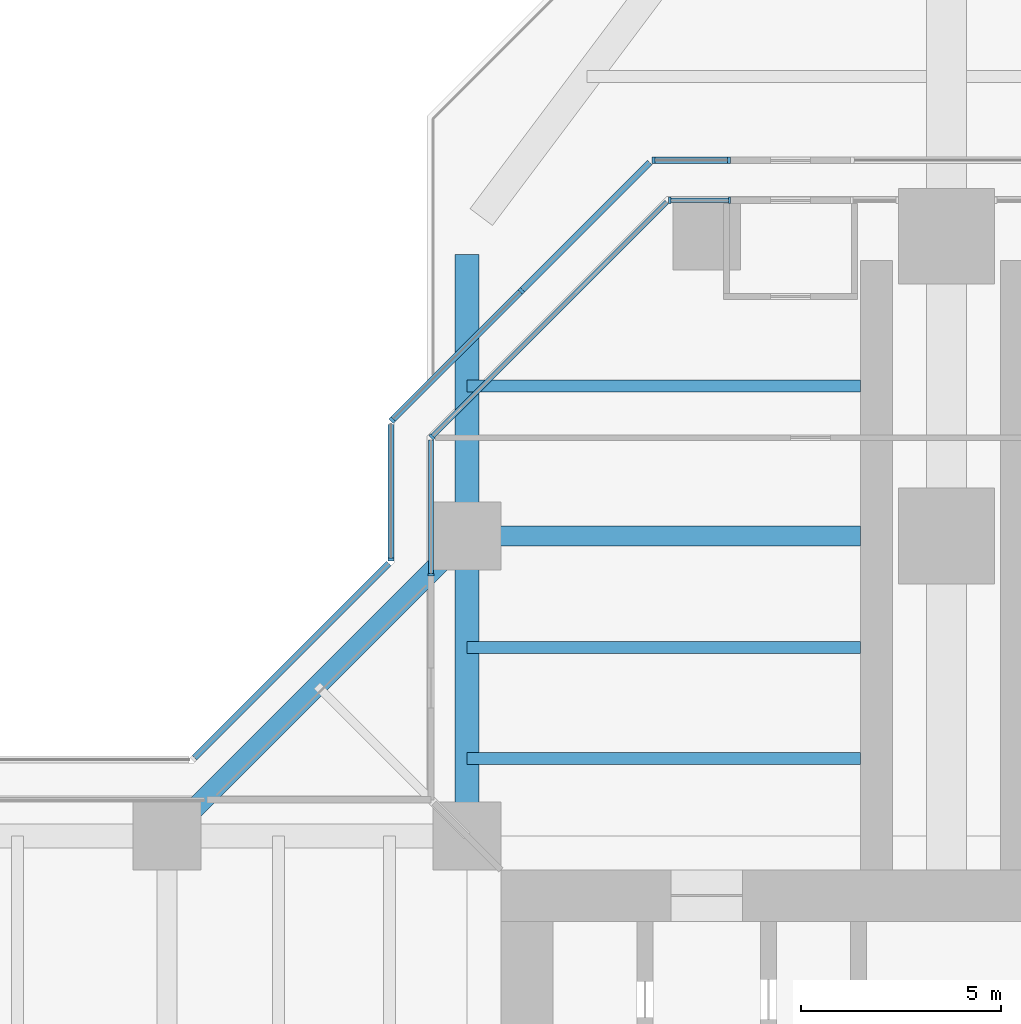
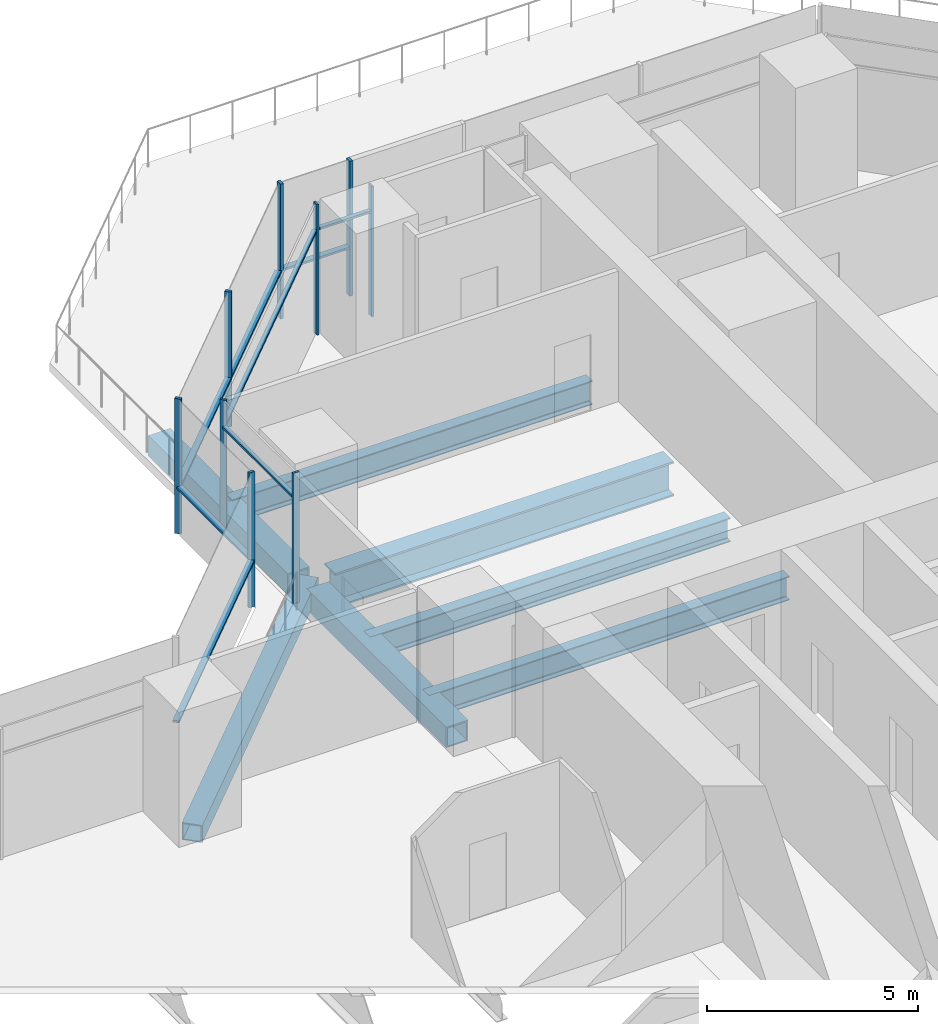
# One storey, part 8 of 21: 17 members, 7 beams, 7 elements without a shape of their own.
"""IFC4 building model written with IfcOpenShell, lengths in metres."""

from ifc_helpers import new_model, si_unit, direction, frame, origin, origin_2d, place, context, subcontext, project, spatial, rectangle, hollow_rectangle, i_section, extrude, material, material_profile, profile_set, type_object, element, aggregate, save


model = new_model("IFC4")

# Units and contexts
model_context = context("Model", 3, precision=1e-05, world=origin(), true_north=direction((0.0, 1.0)))
body_context = subcontext(model_context, "Body", "Model", "MODEL_VIEW")
ifc_project = project(units=[si_unit("LENGTHUNIT", "METRE"), si_unit("AREAUNIT", "SQUARE_METRE"), si_unit("VOLUMEUNIT", "CUBIC_METRE"), si_unit("PLANEANGLEUNIT", "RADIAN"), si_unit("MASSUNIT", "GRAM", prefix="KILO")], contexts=[model_context])

# Site, building, storey
site_placement = place(None, origin())
site = spatial("IfcSite", under=ifc_project, at=site_placement, CompositionType="ELEMENT")
building_placement = place(site_placement, origin())
building = spatial("IfcBuilding", under=site, at=building_placement, Name="Mizan Broadcast Tower", CompositionType="ELEMENT")
storey_placement = place(building_placement, frame((0.0, 0.0, 124.199951171875)))
storey = spatial("IfcBuildingStorey", under=building, at=storey_placement, Name="L27", CompositionType="ELEMENT", Elevation=124.199951171875)

# Beams
ifc_material_1 = material(Name="Steel S355", Category="steel")
ifc_material_profile_1 = material_profile(ifc_material_1, hollow_rectangle(XDim=0.5, YDim=0.5, WallThickness=0.030029296875, at=origin_2d()), Name="BOX 500x500x30")
ifc_profile_set_1 = profile_set([ifc_material_profile_1], Name="Steel S355")
beam_type_1 = type_object("IfcBeamType", Name="EDGE BEAM BOX 500x500x30", PredefinedType="SPANDREL", material=ifc_profile_set_1)
beam_1_placement = place(storey_placement, frame((-12.0, 19.5, -0.3798828125), z_axis=(-0.707106781187, -0.707106781187, 0.0), x_axis=(0.707106781187, -0.707106781187, 0.0)))
element("IfcBeam", 1, at=beam_1_placement, inside=storey, type_object=beam_type_1, Name="Winter garden edge beam L27 N", PredefinedType="SPANDREL", context=body_context, shape_type="SweptSolid", body=[
    extrude(hollow_rectangle(XDim=0.5, YDim=0.5, WallThickness=0.030029296875, at=origin_2d()), origin(), (0.0, 0.0, 1.0), 10.606689453125),
])
ifc_material_2 = material(Name="Steel S355", Category="steel")
ifc_material_profile_2 = material_profile(ifc_material_2, hollow_rectangle(XDim=0.60009765625, YDim=0.60009765625, WallThickness=0.0400390625, at=origin_2d()), Name="BOX 600x600x40")
ifc_profile_set_2 = profile_set([ifc_material_profile_2], Name="Steel S355")
beam_type_2 = type_object("IfcBeamType", Name="EDGE BEAM BOX 600x600x40", PredefinedType="SPANDREL", material=ifc_profile_set_2)
for number, where, z_axis, x_axis, name in (
    (2, (-12.0, 12.449951171875, -0.429931640625), (0.0, 1.0, 0.0), (-1.0, 0.0, 0.0), "Edge beam BOX 600x600x40 L27 north arm"),
    (3, (-12.0, 19.949951171875, -0.550048828125), (0.0, 1.0, 0.0), (-1.0, 0.0, 0.0), "Edge beam BOX 600x600x40 L27 north arm"),
):
    element("IfcBeam", number, at=place(storey_placement, frame(where, z_axis=z_axis, x_axis=x_axis)), inside=storey, type_object=beam_type_2, Name=name, PredefinedType="SPANDREL", context=body_context, shape_type="SweptSolid", body=[
        extrude(hollow_rectangle(XDim=0.60009765625, YDim=0.60009765625, WallThickness=0.0400390625, at=origin_2d()), origin(), (0.0, 0.0, 1.0), 6.60009765625),
    ])
ifc_material_3 = material(Name="Steel S460", Category="steel")
ifc_material_profile_3 = material_profile(ifc_material_3, i_section(OverallWidth=0.5, OverallDepth=1.0, WebThickness=0.02490234375, FlangeThickness=0.050048828125, at=origin_2d()), Name="WPG 1000x500")
ifc_profile_set_3 = profile_set([ifc_material_profile_3], Name="Steel S460")
beam_type_3 = type_object("IfcBeamType", Name="GIRDER WPG 1000x500", PredefinedType="BEAM", material=ifc_profile_set_3)
beam_2_placement = place(storey_placement, frame((-11.408935546875, 19.5, -0.6298828125), z_axis=(1.0, 0.0, 0.0), x_axis=(0.0, 1.0, 0.0)))
element("IfcBeam", 4, at=beam_2_placement, inside=storey, type_object=beam_type_3, Name="Girder WPG 1000x500 L27 north arm", PredefinedType="BEAM", context=body_context, shape_type="SweptSolid", body=[
    extrude(i_section(OverallWidth=0.5, OverallDepth=1.0, WebThickness=0.02490234375, FlangeThickness=0.050048828125, at=origin_2d()), origin(), (0.0, 0.0, 1.0), 9.259033203125),
])

# Curtain wall, members
ifc_material_4 = material(Name="Aluminium framed glazing", Category="aluminium")
curtain_wall_type_1 = type_object("IfcCurtainWallType", Name="INNER SKIN MID ZONE", PredefinedType="USERDEFINED", material=ifc_material_4)
curtain_wall_1_placement = place(storey_placement, origin())
curtain_wall_1 = element("IfcCurtainWall", 5, at=curtain_wall_1_placement, inside=storey, type_object=curtain_wall_type_1, Name="Inner skin mid zone L27 N end", ObjectType="INNER SKIN MID ZONE", PredefinedType="USERDEFINED")
ifc_material_5 = material(Name="Aluminium, pale anodised", Category="aluminium")
ifc_material_profile_4 = material_profile(ifc_material_5, rectangle(XDim=0.159912109375, YDim=0.06005859375, at=origin_2d()), Name="MULLION 160x60")
ifc_profile_set_4 = profile_set([ifc_material_profile_4], Name="Aluminium, pale anodised")
member_type_1 = type_object("IfcMemberType", Name="INNER SKIN MULLION 60x160", PredefinedType="MULLION", material=ifc_profile_set_4)
member_1_placement = place(storey_placement, frame((-5.429931640625, 27.89990234375, 0.0), z_axis=(0.0, 0.0, 1.0), x_axis=(0.0, -1.0, 0.0)))
member_1 = element("IfcMember", 6, at=member_1_placement, type_object=member_type_1, Name="Inner skin mid zone L27 N end mullion 1", PredefinedType="MULLION", context=body_context, shape_type="SweptSolid", body=[
    extrude(rectangle(XDim=0.159912109375, YDim=0.06005859375, at=origin_2d()), origin(), (0.0, 0.0, 1.0), 3.77001953125),
])
member_2_placement = place(storey_placement, frame((-6.928466796875, 27.89990234375, 0.0), z_axis=(0.0, 0.0, 1.0), x_axis=(0.0, -1.0, 0.0)))
member_2 = element("IfcMember", 7, at=member_2_placement, type_object=member_type_1, Name="Inner skin mid zone L27 N end mullion 2", PredefinedType="MULLION", context=body_context, shape_type="SweptSolid", body=[
    extrude(rectangle(XDim=0.159912109375, YDim=0.06005859375, at=origin_2d()), origin(), (0.0, 0.0, 1.0), 3.77001953125),
])

# Curtain wall, member
curtain_wall_2_placement = place(storey_placement, origin())
curtain_wall_2 = element("IfcCurtainWall", 8, at=curtain_wall_2_placement, inside=storey, type_object=curtain_wall_type_1, Name="Inner skin mid zone L27 N chamfer", ObjectType="INNER SKIN MID ZONE", PredefinedType="USERDEFINED")
member_3_placement = place(storey_placement, frame((-12.87890625, 21.979736328125, 0.0), z_axis=(0.0, 0.0, 1.0), x_axis=(0.707106781187, -0.707106781187, 0.0)))
member_3 = element("IfcMember", 9, at=member_3_placement, type_object=member_type_1, Name="Inner skin mid zone L27 N chamfer mullion 2", PredefinedType="MULLION", context=body_context, shape_type="SweptSolid", body=[
    extrude(rectangle(XDim=0.159912109375, YDim=0.06005859375, at=origin_2d()), origin(), (0.0, 0.0, 1.0), 3.77001953125),
])

curtain_wall_3_placement = place(storey_placement, origin())
curtain_wall_3 = element("IfcCurtainWall", 10, at=curtain_wall_3_placement, inside=storey, type_object=curtain_wall_type_1, Name="Inner skin mid zone L27 N side", ObjectType="INNER SKIN MID ZONE", PredefinedType="USERDEFINED")
member_4_placement = place(storey_placement, frame((-12.89990234375, 18.530029296875, 0.0), z_axis=(0.0, 0.0, 1.0), x_axis=(1.0, 0.0, 0.0)))
member_4 = element("IfcMember", 11, at=member_4_placement, type_object=member_type_1, Name="Inner skin mid zone L27 N side mullion 2", PredefinedType="MULLION", context=body_context, shape_type="SweptSolid", body=[
    extrude(rectangle(XDim=0.159912109375, YDim=0.06005859375, at=origin_2d()), origin(), (0.0, 0.0, 1.0), 3.77001953125),
])

# Member
ifc_material_6 = material(Name="Aluminium, pale anodised", Category="aluminium")
ifc_material_profile_5 = material_profile(ifc_material_6, rectangle(XDim=0.1201171875, YDim=0.06005859375, at=origin_2d()), Name="TRANSOM 120x60")
ifc_profile_set_5 = profile_set([ifc_material_profile_5], Name="Aluminium, pale anodised")
member_type_2 = type_object("IfcMemberType", Name="INNER SKIN TRANSOM 60x120", PredefinedType="USERDEFINED", material=ifc_profile_set_5)
member_5_placement = place(storey_placement, frame((-5.4599609375, 27.89990234375, 3.030029296875), z_axis=(-1.0, 0.0, 0.0), x_axis=(0.0, -1.0, 0.0)))
member_5 = element("IfcMember", 12, at=member_5_placement, type_object=member_type_2, Name="Inner skin mid zone L27 N end transom 1.1", ObjectType="TRANSOM", PredefinedType="USERDEFINED", context=body_context, shape_type="SweptSolid", body=[
    extrude(rectangle(XDim=0.1201171875, YDim=0.06005859375, at=origin_2d()), origin(), (0.0, 0.0, 1.0), 1.438720703125),
])

aggregate(curtain_wall_1, [member_1, member_2, member_5])

member_6_placement = place(storey_placement, frame((-7.0009765625, 27.857666015625, 3.030029296875), z_axis=(-0.707106781187, -0.707106781187, 0.0), x_axis=(0.707106781187, -0.707106781187, 0.0)))
member_6 = element("IfcMember", 13, at=member_6_placement, type_object=member_type_2, Name="Inner skin mid zone L27 N chamfer transom 1.1", ObjectType="TRANSOM", PredefinedType="USERDEFINED", context=body_context, shape_type="SweptSolid", body=[
    extrude(rectangle(XDim=0.1201171875, YDim=0.06005859375, at=origin_2d()), origin(), (0.0, 0.0, 1.0), 8.28271484375),
])

aggregate(curtain_wall_2, [member_3, member_6])

member_7_placement = place(storey_placement, frame((-12.89990234375, 21.898681640625, 3.030029296875), z_axis=(0.0, -1.0, 0.0), x_axis=(1.0, 0.0, 0.0)))
member_7 = element("IfcMember", 14, at=member_7_placement, type_object=member_type_2, Name="Inner skin mid zone L27 N side transom 1.1", ObjectType="TRANSOM", PredefinedType="USERDEFINED", context=body_context, shape_type="SweptSolid", body=[
    extrude(rectangle(XDim=0.1201171875, YDim=0.06005859375, at=origin_2d()), origin(), (0.0, 0.0, 1.0), 3.338623046875),
])

aggregate(curtain_wall_3, [member_4, member_7])

# Curtain wall, members
ifc_material_7 = material(Name="Aluminium framed glazing", Category="aluminium")
curtain_wall_type_2 = type_object("IfcCurtainWallType", Name="OUTER SKIN", PredefinedType="USERDEFINED", material=ifc_material_7)
curtain_wall_4_placement = place(storey_placement, origin())
curtain_wall_4 = element("IfcCurtainWall", 15, at=curtain_wall_4_placement, inside=storey, type_object=curtain_wall_type_2, Name="Outer skin L27 N end", ObjectType="OUTER SKIN", PredefinedType="USERDEFINED")
ifc_material_8 = material(Name="Aluminium, pale anodised", Category="aluminium")
ifc_material_profile_6 = material_profile(ifc_material_8, rectangle(XDim=0.159912109375, YDim=0.080078125, at=origin_2d()), Name="MULLION 160x80")
ifc_profile_set_6 = profile_set([ifc_material_profile_6], Name="Aluminium, pale anodised")
member_type_3 = type_object("IfcMemberType", Name="OUTER SKIN MULLION 80x160", PredefinedType="MULLION", material=ifc_profile_set_6)
member_8_placement = place(storey_placement, frame((-5.43994140625, 28.89990234375, 0.0), z_axis=(0.0, 0.0, 1.0), x_axis=(0.0, -1.0, 0.0)))
member_8 = element("IfcMember", 16, at=member_8_placement, type_object=member_type_3, Name="Outer skin L27 N end mullion 1", PredefinedType="MULLION", context=body_context, shape_type="SweptSolid", body=[
    extrude(rectangle(XDim=0.159912109375, YDim=0.080078125, at=origin_2d()), origin(), (0.0, 0.0, 1.0), 3.900146484375),
])
member_9_placement = place(storey_placement, frame((-7.332763671875, 28.89990234375, 0.0), z_axis=(0.0, 0.0, 1.0), x_axis=(0.0, -1.0, 0.0)))
member_9 = element("IfcMember", 17, at=member_9_placement, type_object=member_type_3, Name="Outer skin L27 N end mullion 2", PredefinedType="MULLION", context=body_context, shape_type="SweptSolid", body=[
    extrude(rectangle(XDim=0.159912109375, YDim=0.080078125, at=origin_2d()), origin(), (0.0, 0.0, 1.0), 3.900146484375),
])

curtain_wall_5_placement = place(storey_placement, origin())
curtain_wall_5 = element("IfcCurtainWall", 18, at=curtain_wall_5_placement, inside=storey, type_object=curtain_wall_type_2, Name="Outer skin L27 N chamfer", ObjectType="OUTER SKIN", PredefinedType="USERDEFINED")
member_10_placement = place(storey_placement, frame((-10.636474609375, 25.636474609375, 0.0), z_axis=(0.0, 0.0, 1.0), x_axis=(0.707106781187, -0.707106781187, 0.0)))
member_10 = element("IfcMember", 19, at=member_10_placement, type_object=member_type_3, Name="Outer skin L27 N chamfer mullion 2", PredefinedType="MULLION", context=body_context, shape_type="SweptSolid", body=[
    extrude(rectangle(XDim=0.159912109375, YDim=0.080078125, at=origin_2d()), origin(), (0.0, 0.0, 1.0), 3.900146484375),
])
member_11_placement = place(storey_placement, frame((-13.871826171875, 22.401123046875, 0.0), z_axis=(0.0, 0.0, 1.0), x_axis=(0.707106781187, -0.707106781187, 0.0)))
member_11 = element("IfcMember", 20, at=member_11_placement, type_object=member_type_3, Name="Outer skin L27 N chamfer mullion 3", PredefinedType="MULLION", context=body_context, shape_type="SweptSolid", body=[
    extrude(rectangle(XDim=0.159912109375, YDim=0.080078125, at=origin_2d()), origin(), (0.0, 0.0, 1.0), 3.900146484375),
])

# Curtain wall, member
curtain_wall_6_placement = place(storey_placement, origin())
curtain_wall_6 = element("IfcCurtainWall", 21, at=curtain_wall_6_placement, inside=storey, type_object=curtain_wall_type_2, Name="Outer skin L27 N side", ObjectType="OUTER SKIN", PredefinedType="USERDEFINED")
member_12_placement = place(storey_placement, frame((-13.89990234375, 18.912841796875, 0.0), z_axis=(0.0, 0.0, 1.0), x_axis=(1.0, 0.0, 0.0)))
member_12 = element("IfcMember", 22, at=member_12_placement, type_object=member_type_3, Name="Outer skin L27 N side mullion 2", PredefinedType="MULLION", context=body_context, shape_type="SweptSolid", body=[
    extrude(rectangle(XDim=0.159912109375, YDim=0.080078125, at=origin_2d()), origin(), (0.0, 0.0, 1.0), 3.900146484375),
])

# Member
ifc_material_9 = material(Name="Aluminium, pale anodised", Category="aluminium")
ifc_material_profile_7 = material_profile(ifc_material_9, rectangle(XDim=0.159912109375, YDim=0.06005859375, at=origin_2d()), Name="TRANSOM 160x60")
ifc_profile_set_7 = profile_set([ifc_material_profile_7], Name="Aluminium, pale anodised")
member_type_4 = type_object("IfcMemberType", Name="OUTER SKIN TRANSOM 60x160", PredefinedType="USERDEFINED", material=ifc_profile_set_7)
member_13_placement = place(storey_placement, frame((-5.47998046875, 28.89990234375, 1.400146484375), z_axis=(-1.0, 0.0, 0.0), x_axis=(0.0, -1.0, 0.0)))
member_13 = element("IfcMember", 23, at=member_13_placement, type_object=member_type_4, Name="Outer skin L27 N end transom 1.1", ObjectType="TRANSOM", PredefinedType="USERDEFINED", context=body_context, shape_type="SweptSolid", body=[
    extrude(rectangle(XDim=0.159912109375, YDim=0.06005859375, at=origin_2d()), origin(), (0.0, 0.0, 1.0), 1.812744140625),
])

aggregate(curtain_wall_4, [member_8, member_9, member_13])

member_14_placement = place(storey_placement, frame((-7.429443359375, 28.843505859375, 1.400146484375), z_axis=(-0.707106781187, -0.707106781187, 0.0), x_axis=(0.707106781187, -0.707106781187, 0.0)))
member_14 = element("IfcMember", 24, at=member_14_placement, type_object=member_type_4, Name="Outer skin L27 N chamfer transom 1.1", ObjectType="TRANSOM", PredefinedType="USERDEFINED", context=body_context, shape_type="SweptSolid", body=[
    extrude(rectangle(XDim=0.159912109375, YDim=0.06005859375, at=origin_2d()), origin(), (0.0, 0.0, 1.0), 4.495361328125),
])

member_15_placement = place(storey_placement, frame((-10.664794921875, 25.608154296875, 1.400146484375), z_axis=(-0.707106781187, -0.707106781187, 0.0), x_axis=(0.707106781187, -0.707106781187, 0.0)))
member_15 = element("IfcMember", 25, at=member_15_placement, type_object=member_type_4, Name="Outer skin L27 N chamfer transom 2.1", ObjectType="TRANSOM", PredefinedType="USERDEFINED", context=body_context, shape_type="SweptSolid", body=[
    extrude(rectangle(XDim=0.159912109375, YDim=0.06005859375, at=origin_2d()), origin(), (0.0, 0.0, 1.0), 4.495361328125),
])

aggregate(curtain_wall_5, [member_10, member_11, member_14, member_15])

member_16_placement = place(storey_placement, frame((-13.89990234375, 22.292724609375, 1.400146484375), z_axis=(0.0, -1.0, 0.0), x_axis=(1.0, 0.0, 0.0)))
member_16 = element("IfcMember", 26, at=member_16_placement, type_object=member_type_4, Name="Outer skin L27 N side transom 1.1", ObjectType="TRANSOM", PredefinedType="USERDEFINED", context=body_context, shape_type="SweptSolid", body=[
    extrude(rectangle(XDim=0.159912109375, YDim=0.06005859375, at=origin_2d()), origin(), (0.0, 0.0, 1.0), 3.33984375),
])

aggregate(curtain_wall_6, [member_12, member_16])

# Curtain wall, member
curtain_wall_7_placement = place(storey_placement, origin())
curtain_wall_7 = element("IfcCurtainWall", 27, at=curtain_wall_7_placement, inside=storey, type_object=curtain_wall_type_2, Name="Outer skin L27 W chamfer", ObjectType="OUTER SKIN", PredefinedType="USERDEFINED")
member_17_placement = place(storey_placement, frame((-13.95654296875, 18.816162109375, 1.400146484375), z_axis=(-0.707106781187, -0.707106781187, 0.0), x_axis=(0.707106781187, -0.707106781187, 0.0)))
member_17 = element("IfcMember", 28, at=member_17_placement, type_object=member_type_4, Name="Outer skin L27 W chamfer transom 1.1", ObjectType="TRANSOM", PredefinedType="USERDEFINED", context=body_context, shape_type="SweptSolid", body=[
    extrude(rectangle(XDim=0.159912109375, YDim=0.06005859375, at=origin_2d()), origin(), (0.0, 0.0, 1.0), 6.87255859375),
])
aggregate(curtain_wall_7, [member_17])

# Beams
ifc_material_10 = material(Name="Steel S355", Category="steel")
ifc_material_profile_8 = material_profile(ifc_material_10, i_section(OverallWidth=0.300048828125, OverallDepth=0.68994140625, WebThickness=0.014404296875, FlangeThickness=0.027099609375, FilletRadius=0.027099609375, at=origin_2d()), Name="HEA 700")
ifc_profile_set_8 = profile_set([ifc_material_profile_8], Name="Steel S355")
beam_type_4 = type_object("IfcBeamType", Name="SECONDARY BEAM HEA 700", PredefinedType="JOIST", material=ifc_profile_set_8)
for number, where, z_axis, x_axis, name in (
    (29, (-12.0, 13.933349609375, -0.474853515625), (1.0, 0.0, 0.0), (0.0, 1.0, 0.0), "Secondary beam HEA 700 L27 north arm"),
    (30, (-12.0, 16.716552734375, -0.474853515625), (1.0, 0.0, 0.0), (0.0, 1.0, 0.0), "Secondary beam HEA 700 L27 north arm"),
    (31, (-12.0, 23.25, -0.474853515625), (1.0, 0.0, 0.0), (0.0, 1.0, 0.0), "Secondary beam HEA 700 L27 north arm"),
):
    element("IfcBeam", number, at=place(storey_placement, frame(where, z_axis=z_axis, x_axis=x_axis)), inside=storey, type_object=beam_type_4, Name=name, PredefinedType="JOIST", context=body_context, shape_type="SweptSolid", body=[
        extrude(i_section(OverallWidth=0.300048828125, OverallDepth=0.68994140625, WebThickness=0.014404296875, FlangeThickness=0.027099609375, FilletRadius=0.027099609375, at=origin_2d()), origin(), (0.0, 0.0, 1.0), 9.85009765625),
    ])

save(model, "model.ifc")
